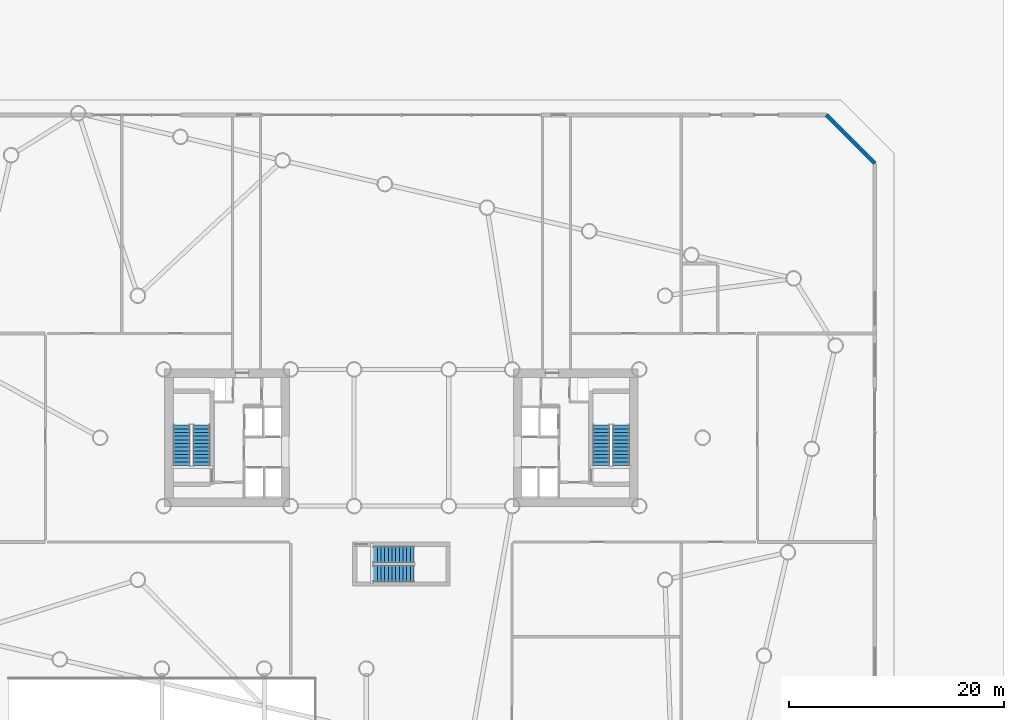
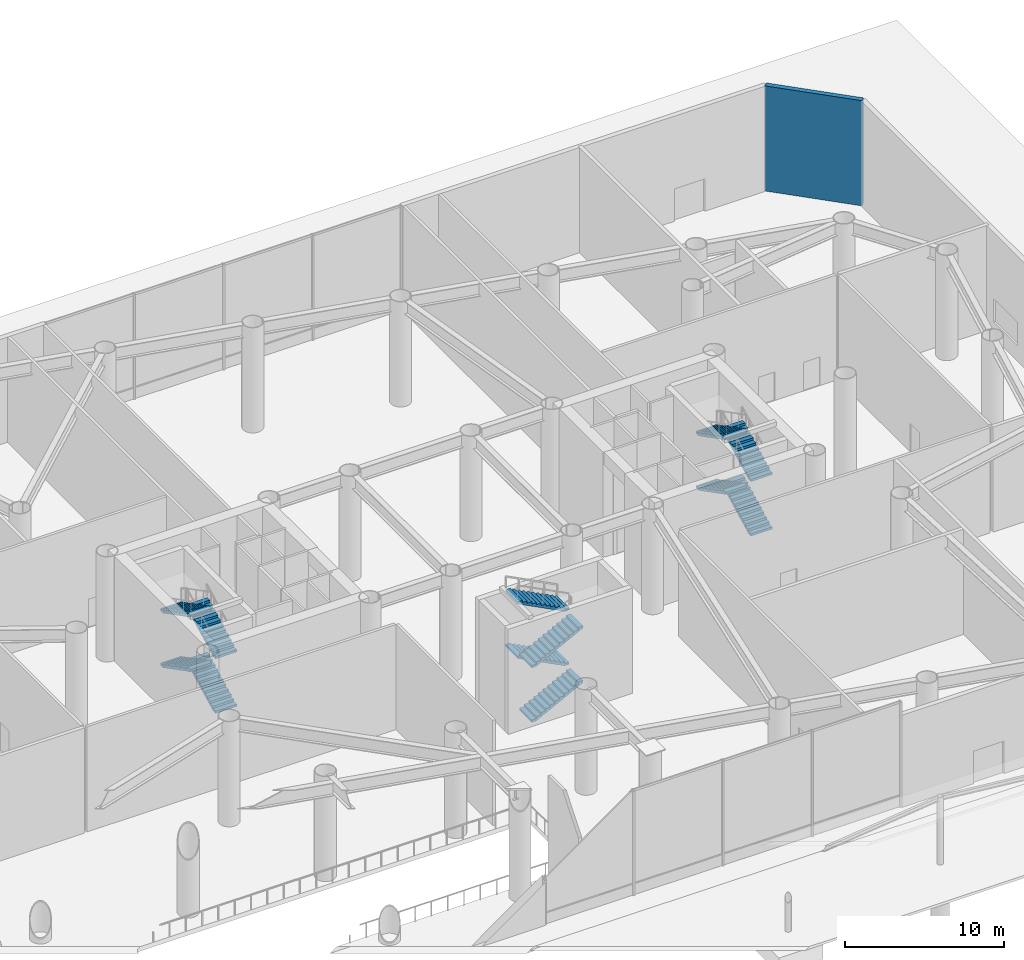
# One storey, part 25 of 28: 12 stair flights, 1 wall, 3 elements without a shape of their own.
"""IFC4 building model written with IfcOpenShell, lengths in metres."""

from ifc_helpers import new_model, si_unit, direction, frame, frame_2d, origin, place, context, subcontext, project, spatial, polyline, rectangle, outline, extrude, material, layer, layer_set, type_object, element, aggregate, save


model = new_model("IFC4")

# Units and contexts
model_context = context("Model", 3, precision=1e-05, world=origin(), true_north=direction((0.0, 1.0)))
body_context = subcontext(model_context, "Body", "Model", "MODEL_VIEW")
ifc_project = project(units=[si_unit("LENGTHUNIT", "METRE"), si_unit("AREAUNIT", "SQUARE_METRE"), si_unit("VOLUMEUNIT", "CUBIC_METRE"), si_unit("PLANEANGLEUNIT", "RADIAN"), si_unit("MASSUNIT", "GRAM", prefix="KILO")], contexts=[model_context])

# Site, building, storey
site_placement = place(None, origin())
site = spatial("IfcSite", under=ifc_project, at=site_placement, CompositionType="ELEMENT")
building_placement = place(site_placement, origin())
building = spatial("IfcBuilding", under=site, at=building_placement, Name="Tavrogorsk Clinical Tower", CompositionType="ELEMENT")
storey_placement = place(building_placement, origin())
storey = spatial("IfcBuildingStorey", under=building, at=storey_placement, Name="L00", CompositionType="ELEMENT", Elevation=0.0)

# Wall
ifc_material_1 = material(Name="Precast concrete B45 with limestone cladding", Category="masonry")
ifc_layer = layer(ifc_material_1, 0.340087890625)
ifc_layer_set = layer_set([ifc_layer], Name="Precast concrete B45 with limestone cladding")
wall_type = type_object("IfcWallType", Name="PrecastLimestoneWall_340", PredefinedType="STANDARD", material=ifc_layer_set)
wall_placement = place(storey_placement, frame((44.0, 25.5, 0.0), z_axis=(0.0, 0.0, 1.0), x_axis=(-0.707106781187, 0.707106781187, 0.0)))
element("IfcWall", 1, at=wall_placement, inside=storey, type_object=wall_type, Name="L00 Limestone Lobby Wall 4-1", PredefinedType="STANDARD", context=body_context, shape_type="SweptSolid", body=[
    extrude(rectangle(XDim=6.364013671875, YDim=0.340087890625, at=frame_2d((3.18212890625, 0.0))), origin(), (0.0, 0.0, 1.0), 8.10009765625),
])

# Stair, stair flights
ifc_material_2 = material(Name="Concrete B60", Category="concrete")
stair_type = type_object("IfcStairType", Name="CoreStairAssembly", PredefinedType="HALF_TURN_STAIR", material=ifc_material_2)
stair_1_placement = place(storey_placement, origin())
stair_1 = element("IfcStair", 2, at=stair_1_placement, inside=storey, type_object=stair_type, Name="L00 ST-W", PredefinedType="HALF_TURN_STAIR")
ifc_material_3 = material(Name="Concrete B60", Category="concrete")
stair_flight_type = type_object("IfcStairFlightType", Name="CoreStairFlight", PredefinedType="STRAIGHT", material=ifc_material_3)
stair_flight_1_placement = place(storey_placement, frame((-18.574951171875, -2.574951171875, 0.0), z_axis=(0.0, 0.0, 1.0), x_axis=(0.0, 1.0, 0.0)))
stair_flight_1 = element("IfcStairFlight", 3, at=stair_flight_1_placement, type_object=stair_flight_type, Name="ST-W flight 1", NumberOfRisers=12, NumberOfTreads=11, PredefinedType="STRAIGHT", RiserHeight=0.175, TreadLength=0.34, context=body_context, shape_type="SweptSolid", body=[
    extrude(outline(polyline([(0.0, 0.0), (0.0, 0.175048828125), (0.340087890625, 0.175048828125), (0.340087890625, 0.35009765625), (0.679931640625, 0.35009765625), (0.679931640625, 0.52490234375), (1.02001953125, 0.52490234375), (1.02001953125, 0.699951171875), (1.360107421875, 0.699951171875), (1.360107421875, 0.875), (1.699951171875, 0.875), (1.699951171875, 1.050048828125), (2.0400390625, 1.050048828125), (2.0400390625, 1.22509765625), (2.3798828125, 1.22509765625), (2.3798828125, 1.39990234375), (2.719970703125, 1.39990234375), (2.719970703125, 1.574951171875), (3.06005859375, 1.574951171875), (3.06005859375, 1.75), (3.39990234375, 1.75), (3.39990234375, 1.925048828125), (3.739990234375, 1.925048828125), (3.739990234375, 2.10009765625), (3.739990234375, 1.75634765625), (0.32763671875, 0.0), (0.0, 0.0)])), frame((0.0, 0.77490234375, 0.0), z_axis=(0.0, -1.0, 0.0), x_axis=(1.0, 0.0, 0.0)), (0.0, 0.0, 1.0), 1.550048828125),
])
stair_flight_2_placement = place(storey_placement, frame((-20.425048828125, 1.1650390625, 2.10009765625), z_axis=(0.0, 0.0, 1.0), x_axis=(0.0, -1.0, 0.0)))
stair_flight_2 = element("IfcStairFlight", 4, at=stair_flight_2_placement, type_object=stair_flight_type, Name="ST-W flight 2", NumberOfRisers=12, NumberOfTreads=11, PredefinedType="STRAIGHT", RiserHeight=0.175, TreadLength=0.34, context=body_context, shape_type="SweptSolid", body=[
    extrude(outline(polyline([(0.0, 0.0), (0.0, 0.175048828125), (0.340087890625, 0.175048828125), (0.340087890625, 0.35009765625), (0.679931640625, 0.35009765625), (0.679931640625, 0.52490234375), (1.02001953125, 0.52490234375), (1.02001953125, 0.699951171875), (1.360107421875, 0.699951171875), (1.360107421875, 0.875), (1.699951171875, 0.875), (1.699951171875, 1.050048828125), (2.0400390625, 1.050048828125), (2.0400390625, 1.22509765625), (2.3798828125, 1.22509765625), (2.3798828125, 1.39990234375), (2.719970703125, 1.39990234375), (2.719970703125, 1.574951171875), (3.06005859375, 1.574951171875), (3.06005859375, 1.75), (3.39990234375, 1.75), (3.39990234375, 1.925048828125), (3.739990234375, 1.925048828125), (3.739990234375, 2.10009765625), (3.739990234375, 1.75634765625), (0.32763671875, 0.0), (0.0, 0.0)])), frame((0.0, 0.77490234375, 0.0), z_axis=(0.0, -1.0, 0.0), x_axis=(1.0, 0.0, 0.0)), (0.0, 0.0, 1.0), 1.550048828125),
])
stair_flight_3_placement = place(storey_placement, frame((-18.574951171875, -2.574951171875, 4.199951171875), z_axis=(0.0, 0.0, 1.0), x_axis=(0.0, 1.0, 0.0)))
stair_flight_3 = element("IfcStairFlight", 5, at=stair_flight_3_placement, type_object=stair_flight_type, Name="ST-W flight 3", NumberOfRisers=12, NumberOfTreads=11, PredefinedType="STRAIGHT", RiserHeight=0.175, TreadLength=0.34, context=body_context, shape_type="SweptSolid", body=[
    extrude(outline(polyline([(0.0, 0.0), (0.0, 0.175048828125), (0.340087890625, 0.175048828125), (0.340087890625, 0.35009765625), (0.679931640625, 0.35009765625), (0.679931640625, 0.52490234375), (1.02001953125, 0.52490234375), (1.02001953125, 0.699951171875), (1.360107421875, 0.699951171875), (1.360107421875, 0.875), (1.699951171875, 0.875), (1.699951171875, 1.050048828125), (2.0400390625, 1.050048828125), (2.0400390625, 1.22509765625), (2.3798828125, 1.22509765625), (2.3798828125, 1.39990234375), (2.719970703125, 1.39990234375), (2.719970703125, 1.574951171875), (3.06005859375, 1.574951171875), (3.06005859375, 1.75), (3.39990234375, 1.75), (3.39990234375, 1.925048828125), (3.739990234375, 1.925048828125), (3.739990234375, 2.10009765625), (3.739990234375, 1.75634765625), (0.32763671875, 0.0), (0.0, 0.0)])), frame((0.0, 0.77490234375, 0.0), z_axis=(0.0, -1.0, 0.0), x_axis=(1.0, 0.0, 0.0)), (0.0, 0.0, 1.0), 1.550048828125),
])
stair_flight_4_placement = place(storey_placement, frame((-20.425048828125, 1.1650390625, 6.300048828125), z_axis=(0.0, 0.0, 1.0), x_axis=(0.0, -1.0, 0.0)))
stair_flight_4 = element("IfcStairFlight", 6, at=stair_flight_4_placement, type_object=stair_flight_type, Name="ST-W flight 4", NumberOfRisers=12, NumberOfTreads=11, PredefinedType="STRAIGHT", RiserHeight=0.175, TreadLength=0.34, context=body_context, shape_type="SweptSolid", body=[
    extrude(outline(polyline([(0.0, 0.0), (0.0, 0.175048828125), (0.340087890625, 0.175048828125), (0.340087890625, 0.35009765625), (0.679931640625, 0.35009765625), (0.679931640625, 0.52490234375), (1.02001953125, 0.52490234375), (1.02001953125, 0.699951171875), (1.360107421875, 0.699951171875), (1.360107421875, 0.875), (1.699951171875, 0.875), (1.699951171875, 1.050048828125), (2.0400390625, 1.050048828125), (2.0400390625, 1.22509765625), (2.3798828125, 1.22509765625), (2.3798828125, 1.39990234375), (2.719970703125, 1.39990234375), (2.719970703125, 1.574951171875), (3.06005859375, 1.574951171875), (3.06005859375, 1.75), (3.39990234375, 1.75), (3.39990234375, 1.925048828125), (3.739990234375, 1.925048828125), (3.739990234375, 2.10009765625), (3.739990234375, 1.75634765625), (0.32763671875, 0.0), (0.0, 0.0)])), frame((0.0, 0.77490234375, 0.0), z_axis=(0.0, -1.0, 0.0), x_axis=(1.0, 0.0, 0.0)), (0.0, 0.0, 1.0), 1.550048828125),
])
aggregate(stair_1, [stair_flight_1, stair_flight_2, stair_flight_3, stair_flight_4])

stair_2_placement = place(storey_placement, origin())
stair_2 = element("IfcStair", 7, at=stair_2_placement, inside=storey, type_object=stair_type, Name="L00 ST-E", PredefinedType="HALF_TURN_STAIR")
stair_flight_5_placement = place(storey_placement, frame((20.425048828125, -2.574951171875, 0.0), z_axis=(0.0, 0.0, 1.0), x_axis=(0.0, 1.0, 0.0)))
stair_flight_5 = element("IfcStairFlight", 8, at=stair_flight_5_placement, type_object=stair_flight_type, Name="ST-E flight 1", NumberOfRisers=12, NumberOfTreads=11, PredefinedType="STRAIGHT", RiserHeight=0.175, TreadLength=0.34, context=body_context, shape_type="SweptSolid", body=[
    extrude(outline(polyline([(0.0, 0.0), (0.0, 0.175048828125), (0.340087890625, 0.175048828125), (0.340087890625, 0.35009765625), (0.679931640625, 0.35009765625), (0.679931640625, 0.52490234375), (1.02001953125, 0.52490234375), (1.02001953125, 0.699951171875), (1.360107421875, 0.699951171875), (1.360107421875, 0.875), (1.699951171875, 0.875), (1.699951171875, 1.050048828125), (2.0400390625, 1.050048828125), (2.0400390625, 1.22509765625), (2.3798828125, 1.22509765625), (2.3798828125, 1.39990234375), (2.719970703125, 1.39990234375), (2.719970703125, 1.574951171875), (3.06005859375, 1.574951171875), (3.06005859375, 1.75), (3.39990234375, 1.75), (3.39990234375, 1.925048828125), (3.739990234375, 1.925048828125), (3.739990234375, 2.10009765625), (3.739990234375, 1.75634765625), (0.32763671875, 0.0), (0.0, 0.0)])), frame((0.0, 0.77490234375, 0.0), z_axis=(0.0, -1.0, 0.0), x_axis=(1.0, 0.0, 0.0)), (0.0, 0.0, 1.0), 1.550048828125),
])
stair_flight_6_placement = place(storey_placement, frame((18.574951171875, 1.1650390625, 2.10009765625), z_axis=(0.0, 0.0, 1.0), x_axis=(0.0, -1.0, 0.0)))
stair_flight_6 = element("IfcStairFlight", 9, at=stair_flight_6_placement, type_object=stair_flight_type, Name="ST-E flight 2", NumberOfRisers=12, NumberOfTreads=11, PredefinedType="STRAIGHT", RiserHeight=0.175, TreadLength=0.34, context=body_context, shape_type="SweptSolid", body=[
    extrude(outline(polyline([(0.0, 0.0), (0.0, 0.175048828125), (0.340087890625, 0.175048828125), (0.340087890625, 0.35009765625), (0.679931640625, 0.35009765625), (0.679931640625, 0.52490234375), (1.02001953125, 0.52490234375), (1.02001953125, 0.699951171875), (1.360107421875, 0.699951171875), (1.360107421875, 0.875), (1.699951171875, 0.875), (1.699951171875, 1.050048828125), (2.0400390625, 1.050048828125), (2.0400390625, 1.22509765625), (2.3798828125, 1.22509765625), (2.3798828125, 1.39990234375), (2.719970703125, 1.39990234375), (2.719970703125, 1.574951171875), (3.06005859375, 1.574951171875), (3.06005859375, 1.75), (3.39990234375, 1.75), (3.39990234375, 1.925048828125), (3.739990234375, 1.925048828125), (3.739990234375, 2.10009765625), (3.739990234375, 1.75634765625), (0.32763671875, 0.0), (0.0, 0.0)])), frame((0.0, 0.77490234375, 0.0), z_axis=(0.0, -1.0, 0.0), x_axis=(1.0, 0.0, 0.0)), (0.0, 0.0, 1.0), 1.550048828125),
])
stair_flight_7_placement = place(storey_placement, frame((20.425048828125, -2.574951171875, 4.199951171875), z_axis=(0.0, 0.0, 1.0), x_axis=(0.0, 1.0, 0.0)))
stair_flight_7 = element("IfcStairFlight", 10, at=stair_flight_7_placement, type_object=stair_flight_type, Name="ST-E flight 3", NumberOfRisers=12, NumberOfTreads=11, PredefinedType="STRAIGHT", RiserHeight=0.175, TreadLength=0.34, context=body_context, shape_type="SweptSolid", body=[
    extrude(outline(polyline([(0.0, 0.0), (0.0, 0.175048828125), (0.340087890625, 0.175048828125), (0.340087890625, 0.35009765625), (0.679931640625, 0.35009765625), (0.679931640625, 0.52490234375), (1.02001953125, 0.52490234375), (1.02001953125, 0.699951171875), (1.360107421875, 0.699951171875), (1.360107421875, 0.875), (1.699951171875, 0.875), (1.699951171875, 1.050048828125), (2.0400390625, 1.050048828125), (2.0400390625, 1.22509765625), (2.3798828125, 1.22509765625), (2.3798828125, 1.39990234375), (2.719970703125, 1.39990234375), (2.719970703125, 1.574951171875), (3.06005859375, 1.574951171875), (3.06005859375, 1.75), (3.39990234375, 1.75), (3.39990234375, 1.925048828125), (3.739990234375, 1.925048828125), (3.739990234375, 2.10009765625), (3.739990234375, 1.75634765625), (0.32763671875, 0.0), (0.0, 0.0)])), frame((0.0, 0.77490234375, 0.0), z_axis=(0.0, -1.0, 0.0), x_axis=(1.0, 0.0, 0.0)), (0.0, 0.0, 1.0), 1.550048828125),
])
stair_flight_8_placement = place(storey_placement, frame((18.574951171875, 1.1650390625, 6.300048828125), z_axis=(0.0, 0.0, 1.0), x_axis=(0.0, -1.0, 0.0)))
stair_flight_8 = element("IfcStairFlight", 11, at=stair_flight_8_placement, type_object=stair_flight_type, Name="ST-E flight 4", NumberOfRisers=12, NumberOfTreads=11, PredefinedType="STRAIGHT", RiserHeight=0.175, TreadLength=0.34, context=body_context, shape_type="SweptSolid", body=[
    extrude(outline(polyline([(0.0, 0.0), (0.0, 0.175048828125), (0.340087890625, 0.175048828125), (0.340087890625, 0.35009765625), (0.679931640625, 0.35009765625), (0.679931640625, 0.52490234375), (1.02001953125, 0.52490234375), (1.02001953125, 0.699951171875), (1.360107421875, 0.699951171875), (1.360107421875, 0.875), (1.699951171875, 0.875), (1.699951171875, 1.050048828125), (2.0400390625, 1.050048828125), (2.0400390625, 1.22509765625), (2.3798828125, 1.22509765625), (2.3798828125, 1.39990234375), (2.719970703125, 1.39990234375), (2.719970703125, 1.574951171875), (3.06005859375, 1.574951171875), (3.06005859375, 1.75), (3.39990234375, 1.75), (3.39990234375, 1.925048828125), (3.739990234375, 1.925048828125), (3.739990234375, 2.10009765625), (3.739990234375, 1.75634765625), (0.32763671875, 0.0), (0.0, 0.0)])), frame((0.0, 0.77490234375, 0.0), z_axis=(0.0, -1.0, 0.0), x_axis=(1.0, 0.0, 0.0)), (0.0, 0.0, 1.0), 1.550048828125),
])
aggregate(stair_2, [stair_flight_5, stair_flight_6, stair_flight_7, stair_flight_8])

stair_3_placement = place(storey_placement, origin())
stair_3 = element("IfcStair", 12, at=stair_3_placement, inside=storey, type_object=stair_type, Name="L00 ST-P", PredefinedType="HALF_TURN_STAIR")
stair_flight_9_placement = place(storey_placement, frame((-2.574951171875, -12.625, 0.0), z_axis=(0.0, 0.0, 1.0), x_axis=(1.0, 0.0, 0.0)))
stair_flight_9 = element("IfcStairFlight", 13, at=stair_flight_9_placement, type_object=stair_flight_type, Name="ST-P flight 1", NumberOfRisers=12, NumberOfTreads=11, PredefinedType="STRAIGHT", RiserHeight=0.175, TreadLength=0.34, context=body_context, shape_type="SweptSolid", body=[
    extrude(outline(polyline([(0.0, 0.0), (0.0, 0.175048828125), (0.340087890625, 0.175048828125), (0.340087890625, 0.35009765625), (0.679931640625, 0.35009765625), (0.679931640625, 0.52490234375), (1.02001953125, 0.52490234375), (1.02001953125, 0.699951171875), (1.360107421875, 0.699951171875), (1.360107421875, 0.875), (1.699951171875, 0.875), (1.699951171875, 1.050048828125), (2.0400390625, 1.050048828125), (2.0400390625, 1.22509765625), (2.3798828125, 1.22509765625), (2.3798828125, 1.39990234375), (2.719970703125, 1.39990234375), (2.719970703125, 1.574951171875), (3.06005859375, 1.574951171875), (3.06005859375, 1.75), (3.39990234375, 1.75), (3.39990234375, 1.925048828125), (3.739990234375, 1.925048828125), (3.739990234375, 2.10009765625), (3.739990234375, 1.75634765625), (0.32763671875, 0.0), (0.0, 0.0)])), frame((0.0, 0.77490234375, 0.0), z_axis=(0.0, -1.0, 0.0), x_axis=(1.0, 0.0, 0.0)), (0.0, 0.0, 1.0), 1.550048828125),
])
stair_flight_10_placement = place(storey_placement, frame((1.1650390625, -10.875, 2.10009765625), z_axis=(0.0, 0.0, 1.0), x_axis=(-1.0, 0.0, 0.0)))
stair_flight_10 = element("IfcStairFlight", 14, at=stair_flight_10_placement, type_object=stair_flight_type, Name="ST-P flight 2", NumberOfRisers=12, NumberOfTreads=11, PredefinedType="STRAIGHT", RiserHeight=0.175, TreadLength=0.34, context=body_context, shape_type="SweptSolid", body=[
    extrude(outline(polyline([(0.0, 0.0), (0.0, 0.175048828125), (0.340087890625, 0.175048828125), (0.340087890625, 0.35009765625), (0.679931640625, 0.35009765625), (0.679931640625, 0.52490234375), (1.02001953125, 0.52490234375), (1.02001953125, 0.699951171875), (1.360107421875, 0.699951171875), (1.360107421875, 0.875), (1.699951171875, 0.875), (1.699951171875, 1.050048828125), (2.0400390625, 1.050048828125), (2.0400390625, 1.22509765625), (2.3798828125, 1.22509765625), (2.3798828125, 1.39990234375), (2.719970703125, 1.39990234375), (2.719970703125, 1.574951171875), (3.06005859375, 1.574951171875), (3.06005859375, 1.75), (3.39990234375, 1.75), (3.39990234375, 1.925048828125), (3.739990234375, 1.925048828125), (3.739990234375, 2.10009765625), (3.739990234375, 1.75634765625), (0.32763671875, 0.0), (0.0, 0.0)])), frame((0.0, 0.77490234375, 0.0), z_axis=(0.0, -1.0, 0.0), x_axis=(1.0, 0.0, 0.0)), (0.0, 0.0, 1.0), 1.550048828125),
])
stair_flight_11_placement = place(storey_placement, frame((-2.574951171875, -12.625, 4.199951171875), z_axis=(0.0, 0.0, 1.0), x_axis=(1.0, 0.0, 0.0)))
stair_flight_11 = element("IfcStairFlight", 15, at=stair_flight_11_placement, type_object=stair_flight_type, Name="ST-P flight 3", NumberOfRisers=12, NumberOfTreads=11, PredefinedType="STRAIGHT", RiserHeight=0.175, TreadLength=0.34, context=body_context, shape_type="SweptSolid", body=[
    extrude(outline(polyline([(0.0, 0.0), (0.0, 0.175048828125), (0.340087890625, 0.175048828125), (0.340087890625, 0.35009765625), (0.679931640625, 0.35009765625), (0.679931640625, 0.52490234375), (1.02001953125, 0.52490234375), (1.02001953125, 0.699951171875), (1.360107421875, 0.699951171875), (1.360107421875, 0.875), (1.699951171875, 0.875), (1.699951171875, 1.050048828125), (2.0400390625, 1.050048828125), (2.0400390625, 1.22509765625), (2.3798828125, 1.22509765625), (2.3798828125, 1.39990234375), (2.719970703125, 1.39990234375), (2.719970703125, 1.574951171875), (3.06005859375, 1.574951171875), (3.06005859375, 1.75), (3.39990234375, 1.75), (3.39990234375, 1.925048828125), (3.739990234375, 1.925048828125), (3.739990234375, 2.10009765625), (3.739990234375, 1.75634765625), (0.32763671875, 0.0), (0.0, 0.0)])), frame((0.0, 0.77490234375, 0.0), z_axis=(0.0, -1.0, 0.0), x_axis=(1.0, 0.0, 0.0)), (0.0, 0.0, 1.0), 1.550048828125),
])
stair_flight_12_placement = place(storey_placement, frame((1.1650390625, -10.875, 6.300048828125), z_axis=(0.0, 0.0, 1.0), x_axis=(-1.0, 0.0, 0.0)))
stair_flight_12 = element("IfcStairFlight", 16, at=stair_flight_12_placement, type_object=stair_flight_type, Name="ST-P flight 4", NumberOfRisers=12, NumberOfTreads=11, PredefinedType="STRAIGHT", RiserHeight=0.175, TreadLength=0.34, context=body_context, shape_type="SweptSolid", body=[
    extrude(outline(polyline([(0.0, 0.0), (0.0, 0.175048828125), (0.340087890625, 0.175048828125), (0.340087890625, 0.35009765625), (0.679931640625, 0.35009765625), (0.679931640625, 0.52490234375), (1.02001953125, 0.52490234375), (1.02001953125, 0.699951171875), (1.360107421875, 0.699951171875), (1.360107421875, 0.875), (1.699951171875, 0.875), (1.699951171875, 1.050048828125), (2.0400390625, 1.050048828125), (2.0400390625, 1.22509765625), (2.3798828125, 1.22509765625), (2.3798828125, 1.39990234375), (2.719970703125, 1.39990234375), (2.719970703125, 1.574951171875), (3.06005859375, 1.574951171875), (3.06005859375, 1.75), (3.39990234375, 1.75), (3.39990234375, 1.925048828125), (3.739990234375, 1.925048828125), (3.739990234375, 2.10009765625), (3.739990234375, 1.75634765625), (0.32763671875, 0.0), (0.0, 0.0)])), frame((0.0, 0.77490234375, 0.0), z_axis=(0.0, -1.0, 0.0), x_axis=(1.0, 0.0, 0.0)), (0.0, 0.0, 1.0), 1.550048828125),
])
aggregate(stair_3, [stair_flight_9, stair_flight_10, stair_flight_11, stair_flight_12])

save(model, "model.ifc")
